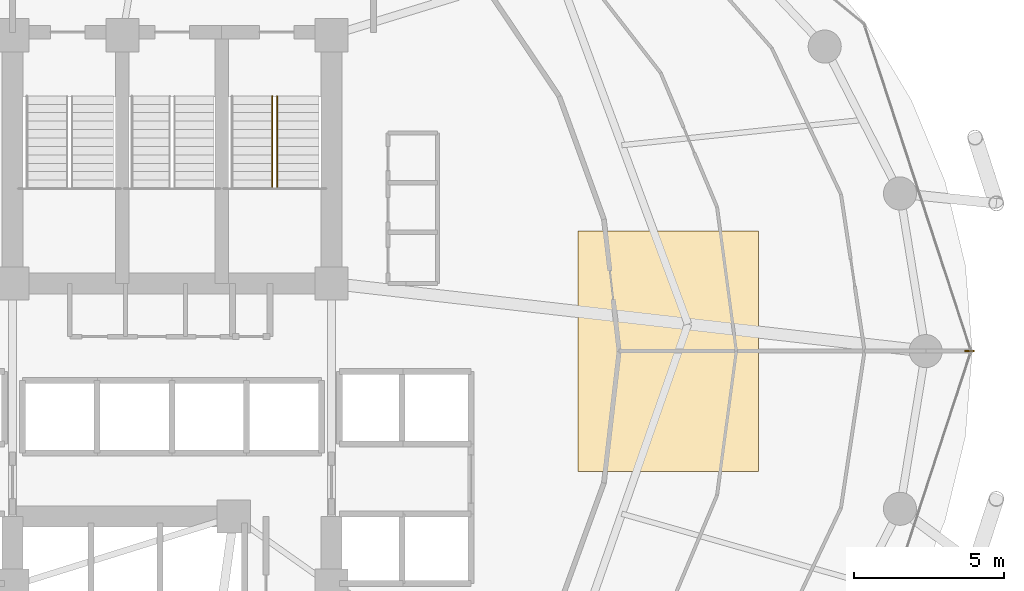
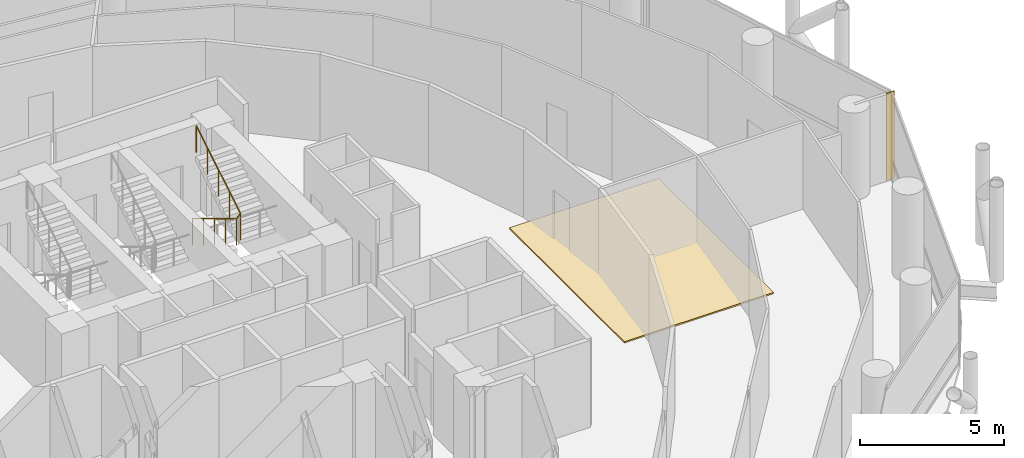
# One storey, part 27 of 27: 1 covering, 1 railing, 1 shading device.
"""IFC4 building model written with IfcOpenShell, lengths in metres."""

from ifc_helpers import new_model, si_unit, direction, frame, origin, origin_2d, place, context, subcontext, project, spatial, polyline, rectangle, outline, extrude, material, layer, layer_set, type_object, element, save


model = new_model("IFC4")

# Units and contexts
model_context = context("Model", 3, precision=1e-05, world=origin(), true_north=direction((0.0, 1.0)))
body_context = subcontext(model_context, "Body", "Model", "MODEL_VIEW")
ifc_project = project(units=[si_unit("LENGTHUNIT", "METRE"), si_unit("AREAUNIT", "SQUARE_METRE"), si_unit("VOLUMEUNIT", "CUBIC_METRE"), si_unit("PLANEANGLEUNIT", "RADIAN"), si_unit("MASSUNIT", "GRAM", prefix="KILO")], contexts=[model_context])

# Site, building, storey
site_placement = place(None, origin())
site = spatial("IfcSite", under=ifc_project, at=site_placement, CompositionType="ELEMENT")
building_placement = place(site_placement, origin())
building = spatial("IfcBuilding", under=site, at=building_placement, Name="Nuhasar Tower", CompositionType="ELEMENT")
storey_placement = place(building_placement, frame((0.0, 0.0, 102.0)))
storey = spatial("IfcBuildingStorey", under=building, at=storey_placement, Name="L24", CompositionType="ELEMENT", Elevation=102.0)

# Covering
ifc_material_1 = material(Name="Calcium Sulphate Tile", Category="gypsum")
ifc_layer_1 = layer(ifc_material_1, 0.06005859375)
ifc_layer_set_1 = layer_set([ifc_layer_1], Name="Calcium Sulphate Tile")
covering_type = type_object("IfcCoveringType", Name="COV-FLR-RAF120", PredefinedType="FLOORING", material=ifc_layer_set_1)
covering_placement = place(storey_placement, origin())
element("IfcCovering", 1, at=covering_placement, inside=storey, type_object=covering_type, Name="L24 Raised Access Floor Zone", PredefinedType="FLOORING", context=body_context, shape_type="SweptSolid", body=[
    extrude(outline(polyline([(52.5, 22.800048828125), (58.5, 22.800048828125), (58.5, 30.800048828125), (52.5, 30.800048828125), (52.5, 22.800048828125)])), origin(), (0.0, 0.0, 1.0), 0.06005859375),
])

# Railing
ifc_material_2 = material(Name="Steel S355", Category="steel")
railing_type = type_object("IfcRailingType", Name="RLG-STAIR-GUARD-1150", PredefinedType="GUARDRAIL", material=ifc_material_2)
railing_placement = place(storey_placement, frame((42.330078125, 35.284912109375, 0.1689453125)))
element("IfcRailing", 2, at=railing_placement, inside=storey, type_object=railing_type, Name="L24 Stair ST-02 Guardrail SLT", PredefinedType="GUARDRAIL", context=body_context, shape_type="SweptSolid", body=[
    extrude(outline(polyline([(0.024169921875, 0.0), (0.01708984375, 0.01708984375), (0.0, 0.024169921875), (-0.01708984375, 0.01708984375), (-0.024169921875, 0.0), (-0.01708984375, -0.01708984375), (0.0, -0.024169921875), (0.01708984375, -0.01708984375), (0.024169921875, 0.0)])), frame((0.0, 0.0, 1.1259765625), z_axis=(0.0, -0.856502863198, 0.516142272377), x_axis=(1.0, 0.0, 0.0)), (0.0, 0.0, 1.0), 3.595703125),
    extrude(outline(polyline([(0.024169921875, 0.0), (0.01708984375, 0.01708984375), (0.0, 0.024169921875), (-0.01708984375, 0.01708984375), (-0.024169921875, 0.0), (-0.01708984375, -0.01708984375), (0.0, -0.024169921875), (0.01708984375, -0.01708984375), (0.024169921875, 0.0)])), frame((0.0, -3.079833984375, 2.98193359375), z_axis=(0.686900628141, 0.0, 0.726751351605), x_axis=(0.0, 1.0, 0.0)), (0.0, 0.0, 1.0), 0.23291015625),
    extrude(outline(polyline([(0.024169921875, 0.0), (0.01708984375, 0.01708984375), (0.0, 0.024169921875), (-0.01708984375, 0.01708984375), (-0.024169921875, 0.0), (-0.01708984375, -0.01708984375), (0.0, -0.024169921875), (0.01708984375, -0.01708984375), (0.024169921875, 0.0)])), frame((0.159912109375, -3.079833984375, 3.15087890625), z_axis=(0.0, 0.856502863198, 0.516142272377), x_axis=(-1.0, 0.0, 0.0)), (0.0, 0.0, 1.0), 3.595703125),
    extrude(outline(polyline([(0.02099609375, 0.0), (0.014892578125, 0.014892578125), (0.0, 0.02099609375), (-0.014892578125, 0.014892578125), (-0.02099609375, 0.0), (-0.014892578125, -0.014892578125), (0.0, -0.02099609375), (0.014892578125, -0.014892578125), (0.02099609375, 0.0)])), origin(), (0.0, 0.0, 1.0), 1.101806640625),
    extrude(outline(polyline([(0.02099609375, 0.0), (0.014892578125, 0.014892578125), (0.0, 0.02099609375), (-0.014892578125, 0.014892578125), (-0.02099609375, 0.0), (-0.014892578125, -0.014892578125), (0.0, -0.02099609375), (0.014892578125, -0.014892578125), (0.02099609375, 0.0)])), frame((0.0, -0.77001953125, 0.4638671875)), (0.0, 0.0, 1.0), 1.101806640625),
    extrude(outline(polyline([(0.02099609375, 0.0), (0.014892578125, 0.014892578125), (0.0, 0.02099609375), (-0.014892578125, 0.014892578125), (-0.02099609375, 0.0), (-0.014892578125, -0.014892578125), (0.0, -0.02099609375), (0.014892578125, -0.014892578125), (0.02099609375, 0.0)])), frame((0.0, -1.5400390625, 0.927978515625)), (0.0, 0.0, 1.0), 1.101806640625),
    extrude(outline(polyline([(0.02099609375, 0.0), (0.014892578125, 0.014892578125), (0.0, 0.02099609375), (-0.014892578125, 0.014892578125), (-0.02099609375, 0.0), (-0.014892578125, -0.014892578125), (0.0, -0.02099609375), (0.014892578125, -0.014892578125), (0.02099609375, 0.0)])), frame((0.0, -2.309814453125, 1.39208984375)), (0.0, 0.0, 1.0), 1.101806640625),
    extrude(outline(polyline([(0.02099609375, 0.0), (0.014892578125, 0.014892578125), (0.0, 0.02099609375), (-0.014892578125, 0.014892578125), (-0.02099609375, 0.0), (-0.014892578125, -0.014892578125), (0.0, -0.02099609375), (0.014892578125, -0.014892578125), (0.02099609375, 0.0)])), frame((0.0, -3.079833984375, 1.85595703125)), (0.0, 0.0, 1.0), 1.101806640625),
    extrude(outline(polyline([(0.02099609375, 0.0), (0.014892578125, 0.014892578125), (0.0, 0.02099609375), (-0.014892578125, 0.014892578125), (-0.02099609375, 0.0), (-0.014892578125, -0.014892578125), (0.0, -0.02099609375), (0.014892578125, -0.014892578125), (0.02099609375, 0.0)])), frame((0.159912109375, -3.079833984375, 2.025146484375)), (0.0, 0.0, 1.0), 1.101806640625),
    extrude(outline(polyline([(0.02099609375, 0.0), (0.014892578125, 0.014892578125), (0.0, 0.02099609375), (-0.014892578125, 0.014892578125), (-0.02099609375, 0.0), (-0.014892578125, -0.014892578125), (0.0, -0.02099609375), (0.014892578125, -0.014892578125), (0.02099609375, 0.0)])), frame((0.159912109375, -2.309814453125, 2.4892578125)), (0.0, 0.0, 1.0), 1.101806640625),
    extrude(outline(polyline([(0.02099609375, 0.0), (0.014892578125, 0.014892578125), (0.0, 0.02099609375), (-0.014892578125, 0.014892578125), (-0.02099609375, 0.0), (-0.014892578125, -0.014892578125), (0.0, -0.02099609375), (0.014892578125, -0.014892578125), (0.02099609375, 0.0)])), frame((0.159912109375, -1.5400390625, 2.953125)), (0.0, 0.0, 1.0), 1.101806640625),
    extrude(outline(polyline([(0.02099609375, 0.0), (0.014892578125, 0.014892578125), (0.0, 0.02099609375), (-0.014892578125, 0.014892578125), (-0.02099609375, 0.0), (-0.014892578125, -0.014892578125), (0.0, -0.02099609375), (0.014892578125, -0.014892578125), (0.02099609375, 0.0)])), frame((0.159912109375, -0.77001953125, 3.4169921875)), (0.0, 0.0, 1.0), 1.101806640625),
    extrude(outline(polyline([(0.02099609375, 0.0), (0.014892578125, 0.014892578125), (0.0, 0.02099609375), (-0.014892578125, 0.014892578125), (-0.02099609375, 0.0), (-0.014892578125, -0.014892578125), (0.0, -0.02099609375), (0.014892578125, -0.014892578125), (0.02099609375, 0.0)])), frame((0.159912109375, 0.0, 3.881103515625)), (0.0, 0.0, 1.0), 1.101806640625),
])

# Shading device
ifc_material_3 = material(Name="Aluminium 6063-T6", Category="aluminium")
ifc_layer_2 = layer(ifc_material_3, 0.044921875)
ifc_layer_set_2 = layer_set([ifc_layer_2], Name="Aluminium 6063-T6")
shading_device_type = type_object("IfcShadingDeviceType", Name="SHD-FIN-320", PredefinedType="JALOUSIE", material=ifc_layer_set_2)
shading_device_placement = place(storey_placement, frame((65.510009765625, 26.800048828125, 0.0), z_axis=(0.0, 0.0, 1.0), x_axis=(1.0, 0.0, 0.0)))
element("IfcShadingDevice", 3, at=shading_device_placement, inside=storey, type_object=shading_device_type, Name="L24 Solar Mashrabiya Fin 01", PredefinedType="JALOUSIE", context=body_context, shape_type="SweptSolid", body=[
    extrude(rectangle(XDim=0.320068359375, YDim=0.044921875, at=origin_2d()), origin(), (0.0, 0.0, 1.0), 3.699951171875),
])

save(model, "model.ifc")
